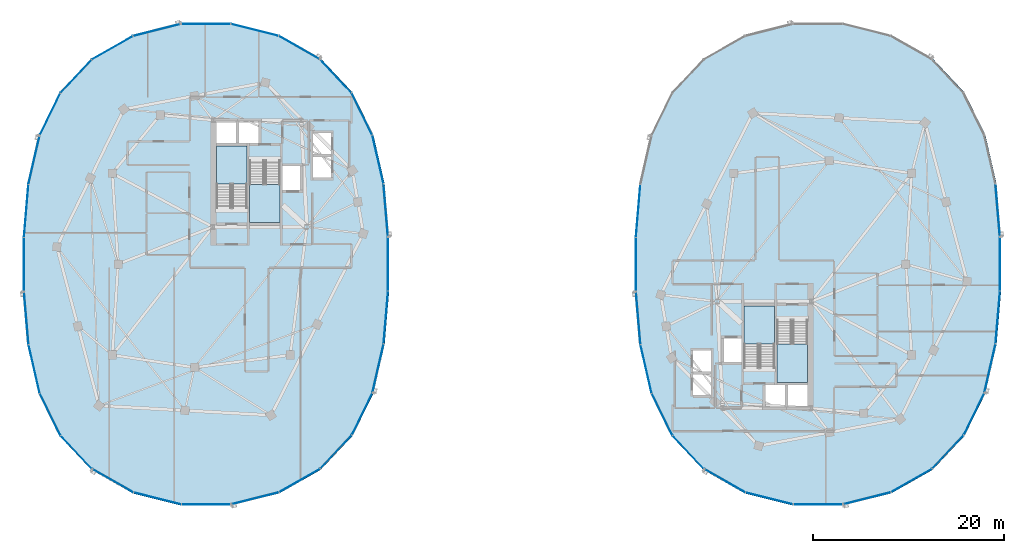
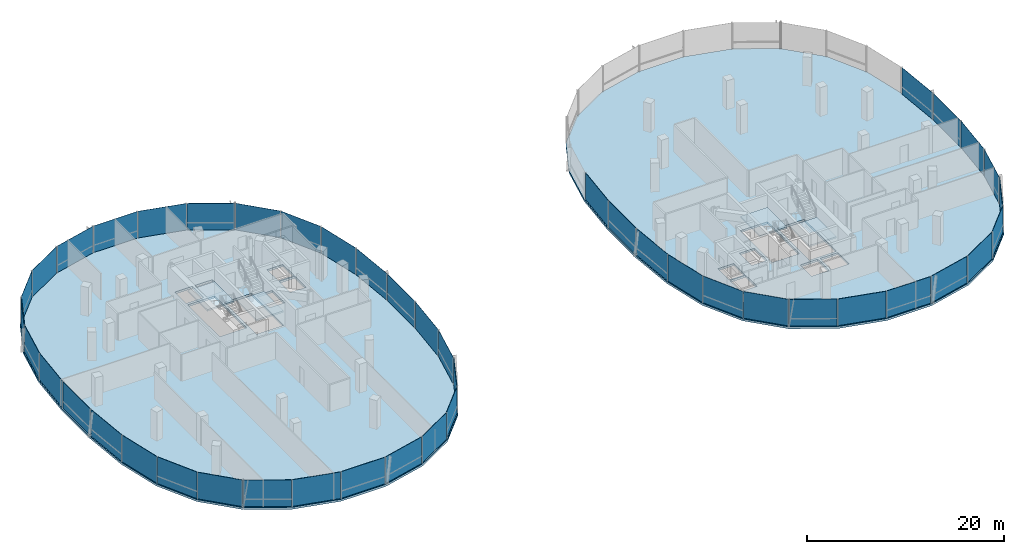
# One storey, part 13 of 25: 45 plates, 6 slabs, 12 elements without a shape of their own.
"""IFC4 building model written with IfcOpenShell, lengths in metres."""

from ifc_helpers import new_model, si_unit, direction, frame, origin, origin_2d, place, context, subcontext, project, spatial, polyline, rectangle, outline, extrude, material, layer, layer_set, type_object, element, aggregate, save


model = new_model("IFC4")

# Units and contexts
model_context = context("Model", 3, precision=1e-05, world=origin(), true_north=direction((0.0, 1.0)))
body_context = subcontext(model_context, "Body", "Model", "MODEL_VIEW")
ifc_project = project(units=[si_unit("LENGTHUNIT", "METRE"), si_unit("AREAUNIT", "SQUARE_METRE"), si_unit("VOLUMEUNIT", "CUBIC_METRE"), si_unit("PLANEANGLEUNIT", "RADIAN"), si_unit("MASSUNIT", "GRAM", prefix="KILO"), si_unit("THERMODYNAMICTEMPERATUREUNIT", "KELVIN"), si_unit("POWERUNIT", "WATT")], contexts=[model_context])

# Site, building, storey
site_placement = place(None, origin())
site = spatial("IfcSite", under=ifc_project, at=site_placement, CompositionType="ELEMENT")
building_placement = place(site_placement, origin())
building = spatial("IfcBuilding", under=site, at=building_placement, Name="Cundina Bronze Exchange", CompositionType="ELEMENT")
storey_placement = place(building_placement, frame((0.0, 0.0, 191.800048828125)))
storey = spatial("IfcBuildingStorey", under=building, at=storey_placement, Name="L50", CompositionType="ELEMENT", Elevation=191.800048828125)

# Curtain wall, plates
ifc_material_1 = material(Name="Anodised Bronze Aluminium 6063-T6", Category="aluminium")
curtain_wall_type = type_object("IfcCurtainWallType", Name="CWS-UPP-OFF", PredefinedType="NOTDEFINED", material=ifc_material_1)
curtain_wall_1_placement = place(storey_placement, origin())
curtain_wall_1 = element("IfcCurtainWall", 1, at=curtain_wall_1_placement, inside=storey, type_object=curtain_wall_type, Name="L50 CW-05 Curtain Wall Run CWR-L50-W1", PredefinedType="NOTDEFINED")
ifc_material_2 = material(Name="Heat-Strengthened Solar-Control Bronze Safety Glass 28mm", Category="glass")
ifc_layer_1 = layer(ifc_material_2, 0.028076171875, Name="Heat-Strengthened Solar-Control Bronze Safety Glass 28mm", Category="glass")
ifc_layer_set_1 = layer_set([ifc_layer_1], Name="Heat-Strengthened Solar-Control Bronze Safety Glass 28mm")
plate_type_1 = type_object("IfcPlateType", Name="PLT-GLZ-VIS28", PredefinedType="CURTAIN_PANEL", material=ifc_layer_set_1)
plate_1_placement = place(storey_placement, frame((-13.198486328125, 5.60693359375, 0.02001953125), z_axis=(0.0, 0.0, 1.0), x_axis=(-0.083747411454, 0.996487015006, 0.0)))
plate_1 = element("IfcPlate", 2, at=plate_1_placement, type_object=plate_type_1, Name="CW-05 Glazed Panel 1", PredefinedType="CURTAIN_PANEL", context=body_context, shape_type="SweptSolid", body=[
    extrude(rectangle(XDim=5.474609375, YDim=0.028076171875, at=origin_2d()), origin(), (0.0, 0.0, 1.0), 3.300048828125),
])
plate_2_placement = place(storey_placement, frame((-14.01611328125, 10.92578125, 0.02001953125), z_axis=(0.0, 0.0, 1.0), x_axis=(-0.223284141459, 0.974753400698, 0.0)))
plate_2 = element("IfcPlate", 3, at=plate_2_placement, type_object=plate_type_1, Name="CW-05 Glazed Panel 2", PredefinedType="CURTAIN_PANEL", context=body_context, shape_type="SweptSolid", body=[
    extrude(rectangle(XDim=5.167724609375, YDim=0.028076171875, at=origin_2d()), origin(), (0.0, 0.0, 1.0), 3.300048828125),
])
plate_3_placement = place(storey_placement, frame((-15.685302734375, 15.686767578125, 0.02001953125), z_axis=(0.0, 0.0, 1.0), x_axis=(-0.440503330345, 0.897750976582, 0.0)))
plate_3 = element("IfcPlate", 4, at=plate_3_placement, type_object=plate_type_1, Name="CW-05 Glazed Panel 3", PredefinedType="CURTAIN_PANEL", context=body_context, shape_type="SweptSolid", body=[
    extrude(rectangle(XDim=4.863525390625, YDim=0.028076171875, at=origin_2d()), origin(), (0.0, 0.0, 1.0), 3.300048828125),
])
plate_4_placement = place(storey_placement, frame((-18.4208984375, 19.6552734375, 0.02001953125), z_axis=(0.0, 0.0, 1.0), x_axis=(-0.684343512797, 0.72915976061, 0.0)))
plate_4 = element("IfcPlate", 5, at=plate_4_placement, type_object=plate_type_1, Name="CW-05 Glazed Panel 4", PredefinedType="CURTAIN_PANEL", context=body_context, shape_type="SweptSolid", body=[
    extrude(rectangle(XDim=4.773193359375, YDim=0.028076171875, at=origin_2d()), origin(), (0.0, 0.0, 1.0), 3.300048828125),
])
plate_5_placement = place(storey_placement, frame((-26.88720703125, 24.49609375, 0.02001953125), z_axis=(0.0, 0.0, 1.0), x_axis=(-0.969731542251, 0.244173577528, 0.0)))
plate_5 = element("IfcPlate", 6, at=plate_5_placement, type_object=plate_type_1, Name="CW-05 Glazed Panel 6", PredefinedType="CURTAIN_PANEL", context=body_context, shape_type="SweptSolid", body=[
    extrude(rectangle(XDim=5.0908203125, YDim=0.028076171875, at=origin_2d()), origin(), (0.0, 0.0, 1.0), 3.300048828125),
])
plate_6_placement = place(storey_placement, frame((-32.0, 25.125, 0.02001953125), z_axis=(0.0, 0.0, 1.0), x_axis=(-1.0, 0.0, 0.0)))
plate_6 = element("IfcPlate", 7, at=plate_6_placement, type_object=plate_type_1, Name="CW-05 Glazed Panel 7", PredefinedType="CURTAIN_PANEL", context=body_context, shape_type="SweptSolid", body=[
    extrude(rectangle(XDim=5.16796875, YDim=0.028076171875, at=origin_2d()), origin(), (0.0, 0.0, 1.0), 3.300048828125),
])

curtain_wall_2_placement = place(storey_placement, origin())
curtain_wall_2 = element("IfcCurtainWall", 8, at=curtain_wall_2_placement, inside=storey, type_object=curtain_wall_type, Name="L50 CW-05 Curtain Wall Run CWR-L50-W2", PredefinedType="NOTDEFINED")
plate_7_placement = place(storey_placement, frame((-37.11279296875, 24.49609375, 0.02001953125), z_axis=(0.0, 0.0, 1.0), x_axis=(-0.969731542251, -0.244173577528, 0.0)))
plate_7 = element("IfcPlate", 9, at=plate_7_placement, type_object=plate_type_1, Name="CW-05 Glazed Panel 1", PredefinedType="CURTAIN_PANEL", context=body_context, shape_type="SweptSolid", body=[
    extrude(rectangle(XDim=5.0908203125, YDim=0.028076171875, at=origin_2d()), origin(), (0.0, 0.0, 1.0), 3.300048828125),
])
plate_8_placement = place(storey_placement, frame((-41.769287109375, 22.64111328125, 0.02001953125), z_axis=(0.0, 0.0, 1.0), x_axis=(-0.869572506985, -0.493805280547, 0.0)))
plate_8 = element("IfcPlate", 10, at=plate_8_placement, type_object=plate_type_1, Name="CW-05 Glazed Panel 2", PredefinedType="CURTAIN_PANEL", context=body_context, shape_type="SweptSolid", body=[
    extrude(rectangle(XDim=4.907958984375, YDim=0.028076171875, at=origin_2d()), origin(), (0.0, 0.0, 1.0), 3.300048828125),
])
plate_9_placement = place(storey_placement, frame((-45.5791015625, 19.6552734375, 0.02001953125), z_axis=(0.0, 0.0, 1.0), x_axis=(-0.684343512797, -0.72915976061, 0.0)))
plate_9 = element("IfcPlate", 11, at=plate_9_placement, type_object=plate_type_1, Name="CW-05 Glazed Panel 3", PredefinedType="CURTAIN_PANEL", context=body_context, shape_type="SweptSolid", body=[
    extrude(rectangle(XDim=4.773193359375, YDim=0.028076171875, at=origin_2d()), origin(), (0.0, 0.0, 1.0), 3.300048828125),
])
plate_10_placement = place(storey_placement, frame((-49.98388671875, 10.92578125, 0.02001953125), z_axis=(0.0, 0.0, 1.0), x_axis=(-0.223284141459, -0.974753400698, 0.0)))
plate_10 = element("IfcPlate", 12, at=plate_10_placement, type_object=plate_type_1, Name="CW-05 Glazed Panel 5", PredefinedType="CURTAIN_PANEL", context=body_context, shape_type="SweptSolid", body=[
    extrude(rectangle(XDim=5.167724609375, YDim=0.028076171875, at=origin_2d()), origin(), (0.0, 0.0, 1.0), 3.300048828125),
])
plate_11_placement = place(storey_placement, frame((-50.801513671875, 5.60693359375, 0.02001953125), z_axis=(0.0, 0.0, 1.0), x_axis=(-0.083747411454, -0.996487015006, 0.0)))
plate_11 = element("IfcPlate", 13, at=plate_11_placement, type_object=plate_type_1, Name="CW-05 Glazed Panel 6", PredefinedType="CURTAIN_PANEL", context=body_context, shape_type="SweptSolid", body=[
    extrude(rectangle(XDim=5.474609375, YDim=0.028076171875, at=origin_2d()), origin(), (0.0, 0.0, 1.0), 3.300048828125),
])
plate_12_placement = place(storey_placement, frame((-51.033935546875, 0.0, 0.02001953125), z_axis=(0.0, 0.0, 1.0), x_axis=(0.0, -1.0, 0.0)))
plate_12 = element("IfcPlate", 14, at=plate_12_placement, type_object=plate_type_1, Name="CW-05 Glazed Panel 7", PredefinedType="CURTAIN_PANEL", context=body_context, shape_type="SweptSolid", body=[
    extrude(rectangle(XDim=5.597900390625, YDim=0.028076171875, at=origin_2d()), origin(), (0.0, 0.0, 1.0), 3.300048828125),
])

curtain_wall_3_placement = place(storey_placement, origin())
curtain_wall_3 = element("IfcCurtainWall", 15, at=curtain_wall_3_placement, inside=storey, type_object=curtain_wall_type, Name="L50 CW-05 Curtain Wall Run CWR-L50-W3", PredefinedType="NOTDEFINED")
plate_13_placement = place(storey_placement, frame((-50.801513671875, -5.60693359375, 0.02001953125), z_axis=(0.0, 0.0, 1.0), x_axis=(0.083747411454, -0.996487015006, 0.0)))
plate_13 = element("IfcPlate", 16, at=plate_13_placement, type_object=plate_type_1, Name="CW-05 Glazed Panel 1", PredefinedType="CURTAIN_PANEL", context=body_context, shape_type="SweptSolid", body=[
    extrude(rectangle(XDim=5.474609375, YDim=0.028076171875, at=origin_2d()), origin(), (0.0, 0.0, 1.0), 3.300048828125),
])
plate_14_placement = place(storey_placement, frame((-49.98388671875, -10.92578125, 0.02001953125), z_axis=(0.0, 0.0, 1.0), x_axis=(0.223284141459, -0.974753400698, 0.0)))
plate_14 = element("IfcPlate", 17, at=plate_14_placement, type_object=plate_type_1, Name="CW-05 Glazed Panel 2", PredefinedType="CURTAIN_PANEL", context=body_context, shape_type="SweptSolid", body=[
    extrude(rectangle(XDim=5.167724609375, YDim=0.028076171875, at=origin_2d()), origin(), (0.0, 0.0, 1.0), 3.300048828125),
])
plate_15_placement = place(storey_placement, frame((-45.5791015625, -19.6552734375, 0.02001953125), z_axis=(0.0, 0.0, 1.0), x_axis=(0.684343512797, -0.72915976061, 0.0)))
plate_15 = element("IfcPlate", 18, at=plate_15_placement, type_object=plate_type_1, Name="CW-05 Glazed Panel 4", PredefinedType="CURTAIN_PANEL", context=body_context, shape_type="SweptSolid", body=[
    extrude(rectangle(XDim=4.773193359375, YDim=0.028076171875, at=origin_2d()), origin(), (0.0, 0.0, 1.0), 3.300048828125),
])
plate_16_placement = place(storey_placement, frame((-41.769287109375, -22.64111328125, 0.02001953125), z_axis=(0.0, 0.0, 1.0), x_axis=(0.869572506985, -0.493805280547, 0.0)))
plate_16 = element("IfcPlate", 19, at=plate_16_placement, type_object=plate_type_1, Name="CW-05 Glazed Panel 5", PredefinedType="CURTAIN_PANEL", context=body_context, shape_type="SweptSolid", body=[
    extrude(rectangle(XDim=4.907958984375, YDim=0.028076171875, at=origin_2d()), origin(), (0.0, 0.0, 1.0), 3.300048828125),
])
plate_17_placement = place(storey_placement, frame((-37.11279296875, -24.49609375, 0.02001953125), z_axis=(0.0, 0.0, 1.0), x_axis=(0.969731542251, -0.244173577528, 0.0)))
plate_17 = element("IfcPlate", 20, at=plate_17_placement, type_object=plate_type_1, Name="CW-05 Glazed Panel 6", PredefinedType="CURTAIN_PANEL", context=body_context, shape_type="SweptSolid", body=[
    extrude(rectangle(XDim=5.0908203125, YDim=0.028076171875, at=origin_2d()), origin(), (0.0, 0.0, 1.0), 3.300048828125),
])
plate_18_placement = place(storey_placement, frame((-32.0, -25.125, 0.02001953125), z_axis=(0.0, 0.0, 1.0), x_axis=(1.0, 0.0, 0.0)))
plate_18 = element("IfcPlate", 21, at=plate_18_placement, type_object=plate_type_1, Name="CW-05 Glazed Panel 7", PredefinedType="CURTAIN_PANEL", context=body_context, shape_type="SweptSolid", body=[
    extrude(rectangle(XDim=5.16796875, YDim=0.028076171875, at=origin_2d()), origin(), (0.0, 0.0, 1.0), 3.300048828125),
])

curtain_wall_4_placement = place(storey_placement, origin())
curtain_wall_4 = element("IfcCurtainWall", 22, at=curtain_wall_4_placement, inside=storey, type_object=curtain_wall_type, Name="L50 CW-05 Curtain Wall Run CWR-L50-W4", PredefinedType="NOTDEFINED")
plate_19_placement = place(storey_placement, frame((-26.88720703125, -24.49609375, 0.02001953125), z_axis=(0.0, 0.0, 1.0), x_axis=(0.969731542251, 0.244173577528, 0.0)))
plate_19 = element("IfcPlate", 23, at=plate_19_placement, type_object=plate_type_1, Name="CW-05 Glazed Panel 1", PredefinedType="CURTAIN_PANEL", context=body_context, shape_type="SweptSolid", body=[
    extrude(rectangle(XDim=5.0908203125, YDim=0.028076171875, at=origin_2d()), origin(), (0.0, 0.0, 1.0), 3.300048828125),
])
plate_20_placement = place(storey_placement, frame((-18.4208984375, -19.6552734375, 0.02001953125), z_axis=(0.0, 0.0, 1.0), x_axis=(0.684343512797, 0.72915976061, 0.0)))
plate_20 = element("IfcPlate", 24, at=plate_20_placement, type_object=plate_type_1, Name="CW-05 Glazed Panel 3", PredefinedType="CURTAIN_PANEL", context=body_context, shape_type="SweptSolid", body=[
    extrude(rectangle(XDim=4.773193359375, YDim=0.028076171875, at=origin_2d()), origin(), (0.0, 0.0, 1.0), 3.300048828125),
])
plate_21_placement = place(storey_placement, frame((-15.685302734375, -15.686767578125, 0.02001953125), z_axis=(0.0, 0.0, 1.0), x_axis=(0.440503330345, 0.897750976582, 0.0)))
plate_21 = element("IfcPlate", 25, at=plate_21_placement, type_object=plate_type_1, Name="CW-05 Glazed Panel 4", PredefinedType="CURTAIN_PANEL", context=body_context, shape_type="SweptSolid", body=[
    extrude(rectangle(XDim=4.863525390625, YDim=0.028076171875, at=origin_2d()), origin(), (0.0, 0.0, 1.0), 3.300048828125),
])
plate_22_placement = place(storey_placement, frame((-14.01611328125, -10.92578125, 0.02001953125), z_axis=(0.0, 0.0, 1.0), x_axis=(0.223284141459, 0.974753400698, 0.0)))
plate_22 = element("IfcPlate", 26, at=plate_22_placement, type_object=plate_type_1, Name="CW-05 Glazed Panel 5", PredefinedType="CURTAIN_PANEL", context=body_context, shape_type="SweptSolid", body=[
    extrude(rectangle(XDim=5.167724609375, YDim=0.028076171875, at=origin_2d()), origin(), (0.0, 0.0, 1.0), 3.300048828125),
])
plate_23_placement = place(storey_placement, frame((-13.198486328125, -5.60693359375, 0.02001953125), z_axis=(0.0, 0.0, 1.0), x_axis=(0.083747411454, 0.996487015006, 0.0)))
plate_23 = element("IfcPlate", 27, at=plate_23_placement, type_object=plate_type_1, Name="CW-05 Glazed Panel 6", PredefinedType="CURTAIN_PANEL", context=body_context, shape_type="SweptSolid", body=[
    extrude(rectangle(XDim=5.474609375, YDim=0.028076171875, at=origin_2d()), origin(), (0.0, 0.0, 1.0), 3.300048828125),
])

# Curtain wall, plate
curtain_wall_5_placement = place(storey_placement, origin())
curtain_wall_5 = element("IfcCurtainWall", 28, at=curtain_wall_5_placement, inside=storey, type_object=curtain_wall_type, Name="L50 CW-05 Curtain Wall Run CWR-L50-E1", PredefinedType="NOTDEFINED")
plate_24_placement = place(storey_placement, frame((50.801513671875, 5.60693359375, 0.02001953125), z_axis=(0.0, 0.0, 1.0), x_axis=(-0.083747411454, 0.996487015006, 0.0)))
plate_24 = element("IfcPlate", 29, at=plate_24_placement, type_object=plate_type_1, Name="CW-05 Glazed Panel 1", PredefinedType="CURTAIN_PANEL", context=body_context, shape_type="SweptSolid", body=[
    extrude(rectangle(XDim=5.474609375, YDim=0.028076171875, at=origin_2d()), origin(), (0.0, 0.0, 1.0), 3.300048828125),
])
aggregate(curtain_wall_5, [plate_24])

# Curtain wall, plates
curtain_wall_6_placement = place(storey_placement, origin())
curtain_wall_6 = element("IfcCurtainWall", 30, at=curtain_wall_6_placement, inside=storey, type_object=curtain_wall_type, Name="L50 CW-05 Curtain Wall Run CWR-L50-E2", PredefinedType="NOTDEFINED")
plate_25_placement = place(storey_placement, frame((13.198486328125, 5.60693359375, 0.02001953125), z_axis=(0.0, 0.0, 1.0), x_axis=(-0.083747411454, -0.996487015006, 0.0)))
plate_25 = element("IfcPlate", 31, at=plate_25_placement, type_object=plate_type_1, Name="CW-05 Glazed Panel 6", PredefinedType="CURTAIN_PANEL", context=body_context, shape_type="SweptSolid", body=[
    extrude(rectangle(XDim=5.474609375, YDim=0.028076171875, at=origin_2d()), origin(), (0.0, 0.0, 1.0), 3.300048828125),
])
plate_26_placement = place(storey_placement, frame((12.966064453125, 0.0, 0.02001953125), z_axis=(0.0, 0.0, 1.0), x_axis=(0.0, -1.0, 0.0)))
plate_26 = element("IfcPlate", 32, at=plate_26_placement, type_object=plate_type_1, Name="CW-05 Glazed Panel 7", PredefinedType="CURTAIN_PANEL", context=body_context, shape_type="SweptSolid", body=[
    extrude(rectangle(XDim=5.597900390625, YDim=0.028076171875, at=origin_2d()), origin(), (0.0, 0.0, 1.0), 3.300048828125),
])
aggregate(curtain_wall_6, [plate_25, plate_26])

curtain_wall_7_placement = place(storey_placement, origin())
curtain_wall_7 = element("IfcCurtainWall", 33, at=curtain_wall_7_placement, inside=storey, type_object=curtain_wall_type, Name="L50 CW-05 Curtain Wall Run CWR-L50-E3", PredefinedType="NOTDEFINED")
plate_27_placement = place(storey_placement, frame((13.198486328125, -5.60693359375, 0.02001953125), z_axis=(0.0, 0.0, 1.0), x_axis=(0.083747411454, -0.996487015006, 0.0)))
plate_27 = element("IfcPlate", 34, at=plate_27_placement, type_object=plate_type_1, Name="CW-05 Glazed Panel 1", PredefinedType="CURTAIN_PANEL", context=body_context, shape_type="SweptSolid", body=[
    extrude(rectangle(XDim=5.474609375, YDim=0.028076171875, at=origin_2d()), origin(), (0.0, 0.0, 1.0), 3.300048828125),
])
plate_28_placement = place(storey_placement, frame((14.01611328125, -10.92578125, 0.02001953125), z_axis=(0.0, 0.0, 1.0), x_axis=(0.223284141459, -0.974753400698, 0.0)))
plate_28 = element("IfcPlate", 35, at=plate_28_placement, type_object=plate_type_1, Name="CW-05 Glazed Panel 2", PredefinedType="CURTAIN_PANEL", context=body_context, shape_type="SweptSolid", body=[
    extrude(rectangle(XDim=5.167724609375, YDim=0.028076171875, at=origin_2d()), origin(), (0.0, 0.0, 1.0), 3.300048828125),
])
plate_29_placement = place(storey_placement, frame((18.4208984375, -19.6552734375, 0.02001953125), z_axis=(0.0, 0.0, 1.0), x_axis=(0.684343512797, -0.72915976061, 0.0)))
plate_29 = element("IfcPlate", 36, at=plate_29_placement, type_object=plate_type_1, Name="CW-05 Glazed Panel 4", PredefinedType="CURTAIN_PANEL", context=body_context, shape_type="SweptSolid", body=[
    extrude(rectangle(XDim=4.773193359375, YDim=0.028076171875, at=origin_2d()), origin(), (0.0, 0.0, 1.0), 3.300048828125),
])
plate_30_placement = place(storey_placement, frame((22.230712890625, -22.64111328125, 0.02001953125), z_axis=(0.0, 0.0, 1.0), x_axis=(0.869572506985, -0.493805280547, 0.0)))
plate_30 = element("IfcPlate", 37, at=plate_30_placement, type_object=plate_type_1, Name="CW-05 Glazed Panel 5", PredefinedType="CURTAIN_PANEL", context=body_context, shape_type="SweptSolid", body=[
    extrude(rectangle(XDim=4.907958984375, YDim=0.028076171875, at=origin_2d()), origin(), (0.0, 0.0, 1.0), 3.300048828125),
])
plate_31_placement = place(storey_placement, frame((26.88720703125, -24.49609375, 0.02001953125), z_axis=(0.0, 0.0, 1.0), x_axis=(0.969731542251, -0.244173577528, 0.0)))
plate_31 = element("IfcPlate", 38, at=plate_31_placement, type_object=plate_type_1, Name="CW-05 Glazed Panel 6", PredefinedType="CURTAIN_PANEL", context=body_context, shape_type="SweptSolid", body=[
    extrude(rectangle(XDim=5.0908203125, YDim=0.028076171875, at=origin_2d()), origin(), (0.0, 0.0, 1.0), 3.300048828125),
])
plate_32_placement = place(storey_placement, frame((32.0, -25.125, 0.02001953125), z_axis=(0.0, 0.0, 1.0), x_axis=(1.0, 0.0, 0.0)))
plate_32 = element("IfcPlate", 39, at=plate_32_placement, type_object=plate_type_1, Name="CW-05 Glazed Panel 7", PredefinedType="CURTAIN_PANEL", context=body_context, shape_type="SweptSolid", body=[
    extrude(rectangle(XDim=5.16796875, YDim=0.028076171875, at=origin_2d()), origin(), (0.0, 0.0, 1.0), 3.300048828125),
])

curtain_wall_8_placement = place(storey_placement, origin())
curtain_wall_8 = element("IfcCurtainWall", 40, at=curtain_wall_8_placement, inside=storey, type_object=curtain_wall_type, Name="L50 CW-05 Curtain Wall Run CWR-L50-E4", PredefinedType="NOTDEFINED")
plate_33_placement = place(storey_placement, frame((37.11279296875, -24.49609375, 0.02001953125), z_axis=(0.0, 0.0, 1.0), x_axis=(0.969731542251, 0.244173577528, 0.0)))
plate_33 = element("IfcPlate", 41, at=plate_33_placement, type_object=plate_type_1, Name="CW-05 Glazed Panel 1", PredefinedType="CURTAIN_PANEL", context=body_context, shape_type="SweptSolid", body=[
    extrude(rectangle(XDim=5.0908203125, YDim=0.028076171875, at=origin_2d()), origin(), (0.0, 0.0, 1.0), 3.300048828125),
])
plate_34_placement = place(storey_placement, frame((45.5791015625, -19.6552734375, 0.02001953125), z_axis=(0.0, 0.0, 1.0), x_axis=(0.684343512797, 0.72915976061, 0.0)))
plate_34 = element("IfcPlate", 42, at=plate_34_placement, type_object=plate_type_1, Name="CW-05 Glazed Panel 3", PredefinedType="CURTAIN_PANEL", context=body_context, shape_type="SweptSolid", body=[
    extrude(rectangle(XDim=4.773193359375, YDim=0.028076171875, at=origin_2d()), origin(), (0.0, 0.0, 1.0), 3.300048828125),
])
plate_35_placement = place(storey_placement, frame((48.314697265625, -15.686767578125, 0.02001953125), z_axis=(0.0, 0.0, 1.0), x_axis=(0.440503330345, 0.897750976582, 0.0)))
plate_35 = element("IfcPlate", 43, at=plate_35_placement, type_object=plate_type_1, Name="CW-05 Glazed Panel 4", PredefinedType="CURTAIN_PANEL", context=body_context, shape_type="SweptSolid", body=[
    extrude(rectangle(XDim=4.863525390625, YDim=0.028076171875, at=origin_2d()), origin(), (0.0, 0.0, 1.0), 3.300048828125),
])
plate_36_placement = place(storey_placement, frame((49.98388671875, -10.92578125, 0.02001953125), z_axis=(0.0, 0.0, 1.0), x_axis=(0.223284141459, 0.974753400698, 0.0)))
plate_36 = element("IfcPlate", 44, at=plate_36_placement, type_object=plate_type_1, Name="CW-05 Glazed Panel 5", PredefinedType="CURTAIN_PANEL", context=body_context, shape_type="SweptSolid", body=[
    extrude(rectangle(XDim=5.167724609375, YDim=0.028076171875, at=origin_2d()), origin(), (0.0, 0.0, 1.0), 3.300048828125),
])
plate_37_placement = place(storey_placement, frame((50.801513671875, -5.60693359375, 0.02001953125), z_axis=(0.0, 0.0, 1.0), x_axis=(0.083747411454, 0.996487015006, 0.0)))
plate_37 = element("IfcPlate", 45, at=plate_37_placement, type_object=plate_type_1, Name="CW-05 Glazed Panel 6", PredefinedType="CURTAIN_PANEL", context=body_context, shape_type="SweptSolid", body=[
    extrude(rectangle(XDim=5.474609375, YDim=0.028076171875, at=origin_2d()), origin(), (0.0, 0.0, 1.0), 3.300048828125),
])

# Plate
ifc_material_3 = material(Name="Dark Bronze Spandrel Glass Panel 32mm", Category="glass")
ifc_layer_2 = layer(ifc_material_3, 0.031982421875, Name="Dark Bronze Spandrel Glass Panel 32mm", Category="glass")
ifc_layer_set_2 = layer_set([ifc_layer_2], Name="Dark Bronze Spandrel Glass Panel 32mm")
plate_type_2 = type_object("IfcPlateType", Name="PLT-SPN-BRZ32", PredefinedType="CURTAIN_PANEL", material=ifc_layer_set_2)
plate_38_placement = place(storey_placement, frame((-22.230712890625, 22.64111328125, 0.02001953125), z_axis=(0.0, 0.0, 1.0), x_axis=(-0.869572506985, 0.493805280547, 0.0)))
plate_38 = element("IfcPlate", 46, at=plate_38_placement, type_object=plate_type_2, Name="CW-05 Glazed Panel 5", PredefinedType="CURTAIN_PANEL", context=body_context, shape_type="SweptSolid", body=[
    extrude(rectangle(XDim=4.907958984375, YDim=0.031982421875, at=origin_2d()), origin(), (0.0, 0.0, 1.0), 3.300048828125),
])

aggregate(curtain_wall_1, [plate_1, plate_2, plate_3, plate_4, plate_38, plate_5, plate_6])

plate_39_placement = place(storey_placement, frame((-48.314697265625, 15.686767578125, 0.02001953125), z_axis=(0.0, 0.0, 1.0), x_axis=(-0.440503330345, -0.897750976582, 0.0)))
plate_39 = element("IfcPlate", 47, at=plate_39_placement, type_object=plate_type_2, Name="CW-05 Glazed Panel 4", PredefinedType="CURTAIN_PANEL", context=body_context, shape_type="SweptSolid", body=[
    extrude(rectangle(XDim=4.863525390625, YDim=0.031982421875, at=origin_2d()), origin(), (0.0, 0.0, 1.0), 3.300048828125),
])

aggregate(curtain_wall_2, [plate_7, plate_8, plate_9, plate_39, plate_10, plate_11, plate_12])

plate_40_placement = place(storey_placement, frame((-48.314697265625, -15.686767578125, 0.02001953125), z_axis=(0.0, 0.0, 1.0), x_axis=(0.440503330345, -0.897750976582, 0.0)))
plate_40 = element("IfcPlate", 48, at=plate_40_placement, type_object=plate_type_2, Name="CW-05 Glazed Panel 3", PredefinedType="CURTAIN_PANEL", context=body_context, shape_type="SweptSolid", body=[
    extrude(rectangle(XDim=4.863525390625, YDim=0.031982421875, at=origin_2d()), origin(), (0.0, 0.0, 1.0), 3.300048828125),
])

aggregate(curtain_wall_3, [plate_13, plate_14, plate_40, plate_15, plate_16, plate_17, plate_18])

plate_41_placement = place(storey_placement, frame((-22.230712890625, -22.64111328125, 0.02001953125), z_axis=(0.0, 0.0, 1.0), x_axis=(0.869572506985, 0.493805280547, 0.0)))
plate_41 = element("IfcPlate", 49, at=plate_41_placement, type_object=plate_type_2, Name="CW-05 Glazed Panel 2", PredefinedType="CURTAIN_PANEL", context=body_context, shape_type="SweptSolid", body=[
    extrude(rectangle(XDim=4.907958984375, YDim=0.031982421875, at=origin_2d()), origin(), (0.0, 0.0, 1.0), 3.300048828125),
])

plate_42_placement = place(storey_placement, frame((-12.966064453125, 0.0, 0.02001953125), z_axis=(0.0, 0.0, 1.0), x_axis=(0.0, 1.0, 0.0)))
plate_42 = element("IfcPlate", 50, at=plate_42_placement, type_object=plate_type_2, Name="CW-05 Glazed Panel 7", PredefinedType="CURTAIN_PANEL", context=body_context, shape_type="SweptSolid", body=[
    extrude(rectangle(XDim=5.597900390625, YDim=0.031982421875, at=origin_2d()), origin(), (0.0, 0.0, 1.0), 3.300048828125),
])

aggregate(curtain_wall_4, [plate_19, plate_41, plate_20, plate_21, plate_22, plate_23, plate_42])

plate_43_placement = place(storey_placement, frame((15.685302734375, -15.686767578125, 0.02001953125), z_axis=(0.0, 0.0, 1.0), x_axis=(0.440503330345, -0.897750976582, 0.0)))
plate_43 = element("IfcPlate", 51, at=plate_43_placement, type_object=plate_type_2, Name="CW-05 Glazed Panel 3", PredefinedType="CURTAIN_PANEL", context=body_context, shape_type="SweptSolid", body=[
    extrude(rectangle(XDim=4.863525390625, YDim=0.031982421875, at=origin_2d()), origin(), (0.0, 0.0, 1.0), 3.300048828125),
])

aggregate(curtain_wall_7, [plate_27, plate_28, plate_43, plate_29, plate_30, plate_31, plate_32])

plate_44_placement = place(storey_placement, frame((41.769287109375, -22.64111328125, 0.02001953125), z_axis=(0.0, 0.0, 1.0), x_axis=(0.869572506985, 0.493805280547, 0.0)))
plate_44 = element("IfcPlate", 52, at=plate_44_placement, type_object=plate_type_2, Name="CW-05 Glazed Panel 2", PredefinedType="CURTAIN_PANEL", context=body_context, shape_type="SweptSolid", body=[
    extrude(rectangle(XDim=4.907958984375, YDim=0.031982421875, at=origin_2d()), origin(), (0.0, 0.0, 1.0), 3.300048828125),
])

plate_45_placement = place(storey_placement, frame((51.033935546875, 0.0, 0.02001953125), z_axis=(0.0, 0.0, 1.0), x_axis=(0.0, 1.0, 0.0)))
plate_45 = element("IfcPlate", 53, at=plate_45_placement, type_object=plate_type_2, Name="CW-05 Glazed Panel 7", PredefinedType="CURTAIN_PANEL", context=body_context, shape_type="SweptSolid", body=[
    extrude(rectangle(XDim=5.597900390625, YDim=0.031982421875, at=origin_2d()), origin(), (0.0, 0.0, 1.0), 3.300048828125),
])

aggregate(curtain_wall_8, [plate_33, plate_44, plate_34, plate_35, plate_36, plate_37, plate_45])

# Stair, slab
ifc_material_4 = material(Name="Concrete C40/50", Category="concrete")
stair_type = type_object("IfcStairType", Name="STR-OFF-360", PredefinedType="HALF_TURN_STAIR", material=ifc_material_4)
stair_1_placement = place(storey_placement, origin())
stair_1 = element("IfcStair", 54, at=stair_1_placement, inside=storey, type_object=stair_type, Name="L50 Smokeproof Exit Stair W1", PredefinedType="HALF_TURN_STAIR")
ifc_layer_3 = layer(ifc_material_4, 0.199951171875, Name="Concrete C40/50", Category="concrete")
ifc_layer_set_3 = layer_set([ifc_layer_3], Name="Concrete C40/50")
slab_type_1 = type_object("IfcSlabType", Name="SLB-LND-200", PredefinedType="LANDING", material=ifc_layer_set_3)
slab_1_placement = place(storey_placement, frame((0.0, 0.0, 1.599853515625)))
slab_1 = element("IfcSlab", 55, at=slab_1_placement, type_object=slab_type_1, Name="ST-W1 landing 1", PredefinedType="LANDING", context=body_context, shape_type="SweptSolid", body=[
    extrude(outline(polyline([(-27.739990234375, 8.3701171875), (-27.739990234375, 12.35009765625), (-30.89990234375, 12.35009765625), (-30.89990234375, 8.3701171875), (-27.739990234375, 8.3701171875)])), origin(), (0.0, 0.0, 1.0), 0.2001953125),
])
aggregate(stair_1, [slab_1])

stair_2_placement = place(storey_placement, origin())
stair_2 = element("IfcStair", 56, at=stair_2_placement, inside=storey, type_object=stair_type, Name="L50 Smokeproof Exit Stair W2", PredefinedType="HALF_TURN_STAIR")
slab_2_placement = place(storey_placement, frame((0.0, 0.0, 1.599853515625)))
slab_2 = element("IfcSlab", 57, at=slab_2_placement, type_object=slab_type_1, Name="ST-W2 landing 1", PredefinedType="LANDING", context=body_context, shape_type="SweptSolid", body=[
    extrude(outline(polyline([(-27.43994140625, 8.330078125), (-27.43994140625, 4.35009765625), (-24.280029296875, 4.35009765625), (-24.280029296875, 8.330078125), (-27.43994140625, 8.330078125)])), origin(), (0.0, 0.0, 1.0), 0.2001953125),
])
aggregate(stair_2, [slab_2])

stair_3_placement = place(storey_placement, origin())
stair_3 = element("IfcStair", 58, at=stair_3_placement, inside=storey, type_object=stair_type, Name="L50 Smokeproof Exit Stair E1", PredefinedType="HALF_TURN_STAIR")
slab_3_placement = place(storey_placement, frame((0.0, 0.0, 1.599853515625)))
slab_3 = element("IfcSlab", 59, at=slab_3_placement, type_object=slab_type_1, Name="ST-E1 landing 1", PredefinedType="LANDING", context=body_context, shape_type="SweptSolid", body=[
    extrude(outline(polyline([(27.739990234375, -8.3701171875), (27.739990234375, -12.35009765625), (30.89990234375, -12.35009765625), (30.89990234375, -8.3701171875), (27.739990234375, -8.3701171875)])), origin(), (0.0, 0.0, 1.0), 0.2001953125),
])
aggregate(stair_3, [slab_3])

stair_4_placement = place(storey_placement, origin())
stair_4 = element("IfcStair", 60, at=stair_4_placement, inside=storey, type_object=stair_type, Name="L50 Smokeproof Exit Stair E2", PredefinedType="HALF_TURN_STAIR")
slab_4_placement = place(storey_placement, frame((0.0, 0.0, 1.599853515625)))
slab_4 = element("IfcSlab", 61, at=slab_4_placement, type_object=slab_type_1, Name="ST-E2 landing 1", PredefinedType="LANDING", context=body_context, shape_type="SweptSolid", body=[
    extrude(outline(polyline([(27.43994140625, -8.330078125), (27.43994140625, -4.35009765625), (24.280029296875, -4.35009765625), (24.280029296875, -8.330078125), (27.43994140625, -8.330078125)])), origin(), (0.0, 0.0, 1.0), 0.2001953125),
])
aggregate(stair_4, [slab_4])

# Slabs
ifc_material_5 = material(Name="Concrete C50/60", Category="concrete")
ifc_layer_4 = layer(ifc_material_5, 0.260009765625, Name="Concrete C50/60", Category="concrete")
ifc_layer_set_4 = layer_set([ifc_layer_4], Name="Concrete C50/60")
slab_type_2 = type_object("IfcSlabType", Name="SLB-OFF-260", PredefinedType="FLOOR", material=ifc_layer_set_4)
slab_5_placement = place(storey_placement, frame((0.0, 0.0, -0.260009765625)))
element("IfcSlab", 62, at=slab_5_placement, inside=storey, type_object=slab_type_2, Name="L50 Leg W Structural Floor Slab", PredefinedType="FLOOR", context=body_context, shape_type="SweptSolid", body=[
    extrude(outline(polyline([(-12.85107421875, 2.843994140625), (-13.31689453125, 8.388916015625), (-14.490966796875, 13.513916015625), (-16.673095703125, 17.9609375), (-20.0009765625, 21.507080078125), (-24.346923828125, 23.97509765625), (-29.37109375, 25.239990234375), (-34.62890625, 25.239990234375), (-39.653076171875, 23.97509765625), (-43.9990234375, 21.507080078125), (-47.326904296875, 17.9609375), (-49.509033203125, 13.513916015625), (-50.68310546875, 8.388916015625), (-51.14892578125, 2.843994140625), (-51.14892578125, -2.843994140625), (-50.68310546875, -8.388916015625), (-49.509033203125, -13.513916015625), (-47.326904296875, -17.9609375), (-43.9990234375, -21.507080078125), (-39.653076171875, -23.97509765625), (-34.62890625, -25.239990234375), (-29.37109375, -25.239990234375), (-24.346923828125, -23.97509765625), (-20.0009765625, -21.507080078125), (-16.673095703125, -17.9609375), (-14.490966796875, -13.513916015625), (-13.31689453125, -8.388916015625), (-12.85107421875, -2.843994140625), (-12.85107421875, 2.843994140625)]), holes=[polyline([(-27.739990234375, 5.85009765625), (-27.739990234375, 12.35009765625), (-30.89990234375, 12.35009765625), (-30.89990234375, 5.85009765625), (-27.739990234375, 5.85009765625)]), polyline([(-27.43994140625, 10.85009765625), (-27.43994140625, 4.35009765625), (-24.280029296875, 4.35009765625), (-24.280029296875, 10.85009765625), (-27.43994140625, 10.85009765625)]), polyline([(-23.97998046875, 10.25), (-22.179931640625, 10.25), (-22.179931640625, 7.75), (-23.97998046875, 7.75), (-23.97998046875, 10.25)]), polyline([(-30.89990234375, 14.949951171875), (-28.85009765625, 14.949951171875), (-28.85009765625, 12.64990234375), (-30.89990234375, 12.64990234375), (-30.89990234375, 14.949951171875)]), polyline([(-28.550048828125, 14.949951171875), (-26.5, 14.949951171875), (-26.5, 12.64990234375), (-28.550048828125, 12.64990234375), (-28.550048828125, 14.949951171875)]), polyline([(-20.800048828125, 13.699951171875), (-18.949951171875, 13.699951171875), (-18.949951171875, 11.449951171875), (-20.800048828125, 11.449951171875), (-20.800048828125, 13.699951171875)]), polyline([(-20.800048828125, 11.300048828125), (-18.949951171875, 11.300048828125), (-18.949951171875, 9.050048828125), (-20.800048828125, 9.050048828125), (-20.800048828125, 11.300048828125)])]), origin(), (0.0, 0.0, 1.0), 0.260009765625),
])
slab_6_placement = place(storey_placement, frame((0.0, 0.0, -0.260009765625)))
element("IfcSlab", 63, at=slab_6_placement, inside=storey, type_object=slab_type_2, Name="L50 Leg E Structural Floor Slab", PredefinedType="FLOOR", context=body_context, shape_type="SweptSolid", body=[
    extrude(outline(polyline([(51.14892578125, 2.843994140625), (50.68310546875, 8.388916015625), (49.509033203125, 13.513916015625), (47.326904296875, 17.9609375), (43.9990234375, 21.507080078125), (39.653076171875, 23.97509765625), (34.62890625, 25.239990234375), (29.37109375, 25.239990234375), (24.346923828125, 23.97509765625), (20.0009765625, 21.507080078125), (16.673095703125, 17.9609375), (14.490966796875, 13.513916015625), (13.31689453125, 8.388916015625), (12.85107421875, 2.843994140625), (12.85107421875, -2.843994140625), (13.31689453125, -8.388916015625), (14.490966796875, -13.513916015625), (16.673095703125, -17.9609375), (20.0009765625, -21.507080078125), (24.346923828125, -23.97509765625), (29.37109375, -25.239990234375), (34.62890625, -25.239990234375), (39.653076171875, -23.97509765625), (43.9990234375, -21.507080078125), (47.326904296875, -17.9609375), (49.509033203125, -13.513916015625), (50.68310546875, -8.388916015625), (51.14892578125, -2.843994140625), (51.14892578125, 2.843994140625)]), holes=[polyline([(27.739990234375, -5.85009765625), (27.739990234375, -12.35009765625), (30.89990234375, -12.35009765625), (30.89990234375, -5.85009765625), (27.739990234375, -5.85009765625)]), polyline([(27.43994140625, -10.85009765625), (27.43994140625, -4.35009765625), (24.280029296875, -4.35009765625), (24.280029296875, -10.85009765625), (27.43994140625, -10.85009765625)]), polyline([(22.179931640625, -7.75), (23.97998046875, -7.75), (23.97998046875, -10.25), (22.179931640625, -10.25), (22.179931640625, -7.75)]), polyline([(28.85009765625, -12.64990234375), (30.89990234375, -12.64990234375), (30.89990234375, -14.949951171875), (28.85009765625, -14.949951171875), (28.85009765625, -12.64990234375)]), polyline([(26.5, -12.64990234375), (28.550048828125, -12.64990234375), (28.550048828125, -14.949951171875), (26.5, -14.949951171875), (26.5, -12.64990234375)]), polyline([(18.949951171875, -11.449951171875), (20.800048828125, -11.449951171875), (20.800048828125, -13.699951171875), (18.949951171875, -13.699951171875), (18.949951171875, -11.449951171875)]), polyline([(18.949951171875, -9.050048828125), (20.800048828125, -9.050048828125), (20.800048828125, -11.300048828125), (18.949951171875, -11.300048828125), (18.949951171875, -9.050048828125)])]), origin(), (0.0, 0.0, 1.0), 0.260009765625),
])

save(model, "model.ifc")
